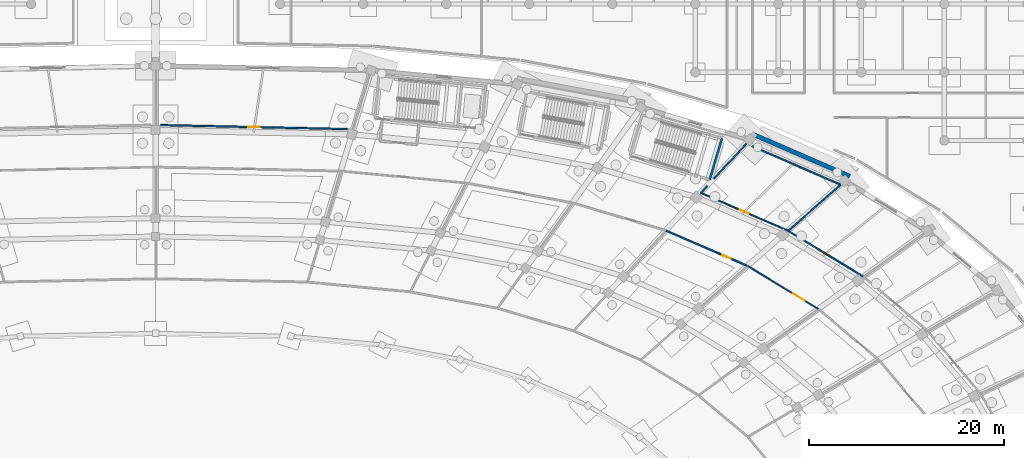
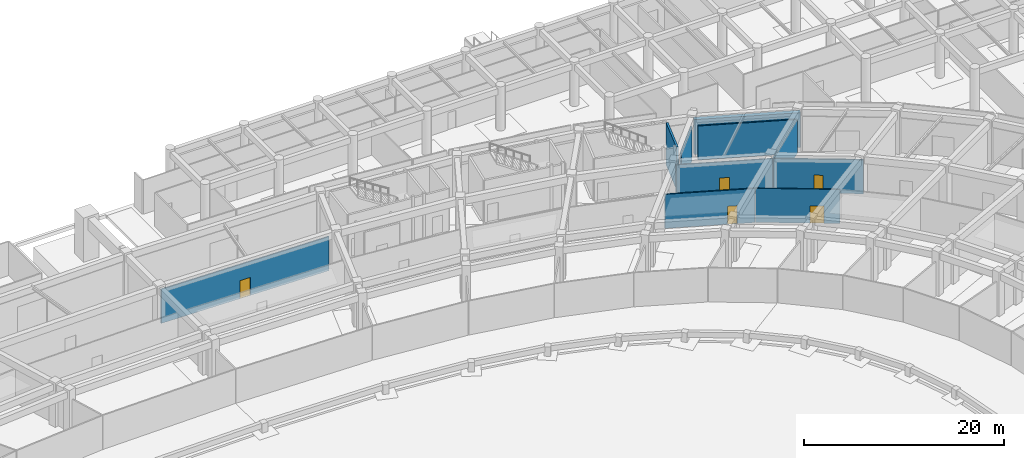
# One storey, part 61 of 88: 11 walls, 5 doors, 5 openings.
"""IFC4 building model written with IfcOpenShell, lengths in metres."""

from ifc_helpers import new_model, si_unit, direction, frame, frame_2d, origin, place, context, subcontext, project, spatial, rectangle, extrude, material, layer, layer_set, type_object, element, fill, save


model = new_model("IFC4")

# Units and contexts
model_context = context("Model", 3, precision=1e-05, world=origin(), true_north=direction((0.0, 1.0)))
body_context = subcontext(model_context, "Body", "Model", "MODEL_VIEW")
ifc_project = project(units=[si_unit("LENGTHUNIT", "METRE"), si_unit("AREAUNIT", "SQUARE_METRE"), si_unit("VOLUMEUNIT", "CUBIC_METRE"), si_unit("PLANEANGLEUNIT", "RADIAN"), si_unit("MASSUNIT", "GRAM", prefix="KILO")], contexts=[model_context])

# Site, building, storey
site_placement = place(None, origin())
site = spatial("IfcSite", under=ifc_project, at=site_placement, CompositionType="ELEMENT")
building_placement = place(site_placement, origin())
building = spatial("IfcBuilding", under=site, at=building_placement, Name="Mphavela Belvedere Stadium", CompositionType="ELEMENT")
storey_placement = place(building_placement, origin())
storey = spatial("IfcBuildingStorey", under=building, at=storey_placement, Name="L00", CompositionType="ELEMENT", Elevation=0.0)

# Wall
ifc_material_1 = material(Name="Concrete C40/50", Category="concrete")
ifc_layer_1 = layer(ifc_material_1, 0.219970703125)
ifc_layer_set_1 = layer_set([ifc_layer_1], Name="Concrete C40/50")
wall_type_1 = type_object("IfcWallType", Name="WAL-CORE-SHEAR-220", PredefinedType="SHEAR", material=ifc_layer_set_1)
wall_1_placement = place(storey_placement, frame((171.85009765625, 148.986083984375, 0.0), z_axis=(0.0, 0.0, 1.0), x_axis=(0.284533106789, 0.958666214665, 0.0)))
element("IfcWall", 1, at=wall_1_placement, inside=storey, type_object=wall_type_1, Name="Core P01 shear wall L00 right", PredefinedType="SHEAR", context=body_context, shape_type="SweptSolid", body=[
    extrude(rectangle(XDim=4.410400390625, YDim=0.219970703125, at=frame_2d((2.205078125, 0.0))), origin(), (0.0, 0.0, 1.0), 5.14990234375),
])

# Wall, opening, door
ifc_material_2 = material(Name="Moisture-resistant sanitary partition assembly")
ifc_layer_2 = layer(ifc_material_2, 0.125)
ifc_layer_set_2 = layer_set([ifc_layer_2], Name="Moisture-resistant sanitary partition assembly")
wall_type_2 = type_object("IfcWallType", Name="WAL-PART-125", PredefinedType="PARTITIONING", material=ifc_layer_set_2)
wall_2_placement = place(storey_placement, frame((175.762939453125, 140.115966796875, 0.0), z_axis=(0.0, 0.0, 1.0), x_axis=(0.854330104408, -0.519730769439, 0.0)))
wall_2 = element("IfcWall", 2, at=wall_2_placement, inside=storey, type_object=wall_type_2, Name="Room L00-51 corridor partition", PredefinedType="PARTITIONING", context=body_context, shape_type="SweptSolid", body=[
    extrude(rectangle(XDim=8.420166015625, YDim=0.125, at=frame_2d((4.2099609375, 0.0))), origin(), (0.0, 0.0, 1.0), 4.14990234375),
])
opening_1_placement = place(wall_2_placement, frame((5.424072265625, 0.0, 0.0)))
opening_1 = element("IfcOpeningElement", 3, at=opening_1_placement, cuts=wall_2, Name="Opening ID-012", PredefinedType="OPENING", context=body_context, shape_type="SweptSolid", body=[
    extrude(rectangle(XDim=1.39990234375, YDim=2.10009765625, at=frame_2d((0.699951171875, 1.050048828125))), frame((0.0, 0.072509765625, 0.0), z_axis=(0.0, -1.0, 0.0), x_axis=(1.0, 0.0, 0.0)), (0.0, 0.0, 1.0), 0.14501953125),
])
ifc_material_3 = material(Name="Hardwood acoustic timber doorset", Category="wood")
door_type_1 = type_object("IfcDoorType", Name="DR-INT-12", OperationType="NOTDEFINED", PredefinedType="DOOR", material=ifc_material_3)
door_1_placement = place(opening_1_placement, origin())
door_1 = element("IfcDoor", 4, at=door_1_placement, inside=storey, type_object=door_type_1, Name="Room L00-51 entrance door ID-012", OperationType="SINGLE_SWING_RIGHT", OverallHeight=2.10009765625, OverallWidth=1.39990234375, PredefinedType="DOOR", context=body_context, shape_type="SweptSolid", body=[
    extrude(rectangle(XDim=1.39990234375, YDim=2.10009765625, at=frame_2d((0.699951171875, 1.050048828125))), frame((0.0, 0.02490234375, 0.0), z_axis=(0.0, -1.0, 0.0), x_axis=(1.0, 0.0, 0.0)), (0.0, 0.0, 1.0), 0.050048828125),
])
fill(opening_1, door_1)

wall_3_placement = place(storey_placement, frame((179.81982421875, 143.772216796875, 0.0), z_axis=(0.0, 0.0, 1.0), x_axis=(-0.917508957037, 0.39771511633, 0.0)))
wall_3 = element("IfcWall", 5, at=wall_3_placement, inside=storey, type_object=wall_type_2, Name="Room L00-55 corridor partition", PredefinedType="PARTITIONING", context=body_context, shape_type="SweptSolid", body=[
    extrude(rectangle(XDim=9.67138671875, YDim=0.125, at=frame_2d((4.835693359375, 0.0))), origin(), (0.0, 0.0, 1.0), 4.14990234375),
])
opening_2_placement = place(wall_3_placement, frame((4.345703125, 0.0, 0.0)))
opening_2 = element("IfcOpeningElement", 6, at=opening_2_placement, cuts=wall_3, Name="Opening ID-015", PredefinedType="OPENING", context=body_context, shape_type="SweptSolid", body=[
    extrude(rectangle(XDim=0.97998046875, YDim=2.199951171875, at=frame_2d((0.489990234375, 1.10009765625))), frame((0.0, 0.072509765625, 0.0), z_axis=(0.0, -1.0, 0.0), x_axis=(1.0, 0.0, 0.0)), (0.0, 0.0, 1.0), 0.14501953125),
])
ifc_material_4 = material(Name="Hardwood acoustic timber doorset", Category="wood")
door_type_2 = type_object("IfcDoorType", Name="DR-INT-15", OperationType="NOTDEFINED", PredefinedType="DOOR", material=ifc_material_4)
door_2_placement = place(opening_2_placement, origin())
door_2 = element("IfcDoor", 7, at=door_2_placement, inside=storey, type_object=door_type_2, Name="Room L00-55 entrance door ID-015", OperationType="SINGLE_SWING_LEFT", OverallHeight=2.199951171875, OverallWidth=0.97998046875, PredefinedType="DOOR", context=body_context, shape_type="SweptSolid", body=[
    extrude(rectangle(XDim=0.97998046875, YDim=2.199951171875, at=frame_2d((0.489990234375, 1.10009765625))), frame((0.0, 0.02490234375, 0.0), z_axis=(0.0, -1.0, 0.0), x_axis=(1.0, 0.0, 0.0)), (0.0, 0.0, 1.0), 0.050048828125),
])
fill(opening_2, door_2)

ifc_material_5 = material(Name="Acoustic gypsum stud partition assembly")
ifc_layer_3 = layer(ifc_material_5, 0.14990234375)
ifc_layer_set_3 = layer_set([ifc_layer_3], Name="Acoustic gypsum stud partition assembly")
wall_type_3 = type_object("IfcWallType", Name="WAL-PART-150", PredefinedType="PARTITIONING", material=ifc_layer_set_3)
wall_4_placement = place(storey_placement, frame((187.582275390625, 139.05419921875, 0.0), z_axis=(0.0, 0.0, 1.0), x_axis=(-0.854321649351, 0.519744667554, 0.0)))
wall_4 = element("IfcWall", 8, at=wall_4_placement, inside=storey, type_object=wall_type_3, Name="Room L00-52 corridor partition", PredefinedType="PARTITIONING", context=body_context, shape_type="SweptSolid", body=[
    extrude(rectangle(XDim=8.99853515625, YDim=0.14990234375, at=frame_2d((4.499267578125, 0.0))), origin(), (0.0, 0.0, 1.0), 4.14990234375),
])
opening_3_placement = place(wall_4_placement, frame((4.04931640625, 0.0, 0.0)))
opening_3 = element("IfcOpeningElement", 9, at=opening_3_placement, cuts=wall_4, Name="Opening ID-013", PredefinedType="OPENING", context=body_context, shape_type="SweptSolid", body=[
    extrude(rectangle(XDim=0.89990234375, YDim=2.199951171875, at=frame_2d((0.449951171875, 1.10009765625))), frame((0.0, 0.0849609375, 0.0), z_axis=(0.0, -1.0, 0.0), x_axis=(1.0, 0.0, 0.0)), (0.0, 0.0, 1.0), 0.169921875),
])
ifc_material_6 = material(Name="Hardwood acoustic timber doorset", Category="wood")
door_type_3 = type_object("IfcDoorType", Name="DR-INT-13", OperationType="NOTDEFINED", PredefinedType="DOOR", material=ifc_material_6)
door_3_placement = place(opening_3_placement, origin())
door_3 = element("IfcDoor", 10, at=door_3_placement, inside=storey, type_object=door_type_3, Name="Room L00-52 entrance door ID-013", OperationType="SINGLE_SWING_LEFT", OverallHeight=2.199951171875, OverallWidth=0.89990234375, PredefinedType="DOOR", context=body_context, shape_type="SweptSolid", body=[
    extrude(rectangle(XDim=0.89990234375, YDim=2.199951171875, at=frame_2d((0.449951171875, 1.10009765625))), frame((0.0, 0.02490234375, 0.0), z_axis=(0.0, -1.0, 0.0), x_axis=(1.0, 0.0, 0.0)), (0.0, 0.0, 1.0), 0.050048828125),
])
fill(opening_3, door_3)

wall_5_placement = place(storey_placement, frame((167.382080078125, 143.753173828125, 0.0), z_axis=(0.0, 0.0, 1.0), x_axis=(0.917494590455, -0.397748257677, 0.0)))
wall_5 = element("IfcWall", 11, at=wall_5_placement, inside=storey, type_object=wall_type_3, Name="Room L00-54 corridor partition", PredefinedType="PARTITIONING", context=body_context, shape_type="SweptSolid", body=[
    extrude(rectangle(XDim=9.04931640625, YDim=0.14990234375, at=frame_2d((4.524658203125, 0.0))), origin(), (0.0, 0.0, 1.0), 4.14990234375),
])
opening_4_placement = place(wall_5_placement, frame((6.29541015625, 0.0, 0.0)))
opening_4 = element("IfcOpeningElement", 12, at=opening_4_placement, cuts=wall_5, Name="Opening ID-014", PredefinedType="OPENING", context=body_context, shape_type="SweptSolid", body=[
    extrude(rectangle(XDim=0.93994140625, YDim=2.199951171875, at=frame_2d((0.469970703125, 1.10009765625))), frame((0.0, 0.0849609375, 0.0), z_axis=(0.0, -1.0, 0.0), x_axis=(1.0, 0.0, 0.0)), (0.0, 0.0, 1.0), 0.169921875),
])
ifc_material_7 = material(Name="Hardwood acoustic timber doorset", Category="wood")
door_type_4 = type_object("IfcDoorType", Name="DR-INT-14", OperationType="NOTDEFINED", PredefinedType="DOOR", material=ifc_material_7)
door_4_placement = place(opening_4_placement, origin())
door_4 = element("IfcDoor", 13, at=door_4_placement, inside=storey, type_object=door_type_4, Name="Room L00-54 entrance door ID-014", OperationType="SINGLE_SWING_RIGHT", OverallHeight=2.199951171875, OverallWidth=0.93994140625, PredefinedType="DOOR", context=body_context, shape_type="SweptSolid", body=[
    extrude(rectangle(XDim=0.93994140625, YDim=2.199951171875, at=frame_2d((0.469970703125, 1.10009765625))), frame((0.0, 0.02490234375, 0.0), z_axis=(0.0, -1.0, 0.0), x_axis=(1.0, 0.0, 0.0)), (0.0, 0.0, 1.0), 0.050048828125),
])
fill(opening_4, door_4)

wall_6_placement = place(storey_placement, frame((134.64404296875, 154.1708984375, 0.0), z_axis=(0.0, 0.0, 1.0), x_axis=(-0.999768107727, 0.021534409017, 0.0)))
wall_6 = element("IfcWall", 14, at=wall_6_placement, inside=storey, type_object=wall_type_3, Name="Room L00-64 corridor partition", PredefinedType="PARTITIONING", context=body_context, shape_type="SweptSolid", body=[
    extrude(rectangle(XDim=19.13720703125, YDim=0.14990234375, at=frame_2d((9.568603515625, 0.0))), origin(), (0.0, 0.0, 1.0), 4.14990234375),
])
opening_5_placement = place(wall_6_placement, frame((8.978759765625, 0.0, 0.0)))
opening_5 = element("IfcOpeningElement", 15, at=opening_5_placement, cuts=wall_6, Name="Opening ID-020", PredefinedType="OPENING", context=body_context, shape_type="SweptSolid", body=[
    extrude(rectangle(XDim=1.179931640625, YDim=2.199951171875, at=frame_2d((0.58984375, 1.10009765625))), frame((0.0, 0.0849609375, 0.0), z_axis=(0.0, -1.0, 0.0), x_axis=(1.0, 0.0, 0.0)), (0.0, 0.0, 1.0), 0.169921875),
])
ifc_material_8 = material(Name="Hardwood acoustic timber doorset", Category="wood")
door_type_5 = type_object("IfcDoorType", Name="DR-INT-20", OperationType="NOTDEFINED", PredefinedType="DOOR", material=ifc_material_8)
door_5_placement = place(opening_5_placement, origin())
door_5 = element("IfcDoor", 16, at=door_5_placement, inside=storey, type_object=door_type_5, Name="Room L00-64 entrance door ID-020", OperationType="SINGLE_SWING_RIGHT", OverallHeight=2.199951171875, OverallWidth=1.179931640625, PredefinedType="DOOR", context=body_context, shape_type="SweptSolid", body=[
    extrude(rectangle(XDim=1.179931640625, YDim=2.199951171875, at=frame_2d((0.58984375, 1.10009765625))), frame((0.0, 0.02490234375, 0.0), z_axis=(0.0, -1.0, 0.0), x_axis=(1.0, 0.0, 0.0)), (0.0, 0.0, 1.0), 0.050048828125),
])
fill(opening_5, door_5)

# Walls
wall_7_placement = place(storey_placement, frame((179.89453125, 143.731201171875, 0.0), z_axis=(0.0, 0.0, 1.0), x_axis=(0.752564061831, 0.658519045162, 0.0)))
element("IfcWall", 17, at=wall_7_placement, inside=storey, type_object=wall_type_3, Name="Room divider partition L00-0022", PredefinedType="PARTITIONING", context=body_context, shape_type="SweptSolid", body=[
    extrude(rectangle(XDim=7.18310546875, YDim=0.14990234375, at=frame_2d((3.591552734375, 0.0))), origin(), (0.0, 0.0, 1.0), 4.14990234375),
])
wall_8_placement = place(storey_placement, frame((172.2861328125, 149.072021484375, 0.0), z_axis=(0.0, 0.0, 1.0), x_axis=(0.67785928919, 0.735191664846, 0.0)))
element("IfcWall", 18, at=wall_8_placement, inside=storey, type_object=wall_type_3, Name="Room divider partition L00-0025", PredefinedType="PARTITIONING", context=body_context, shape_type="SweptSolid", body=[
    extrude(rectangle(XDim=4.892822265625, YDim=0.14990234375, at=frame_2d((2.4462890625, 0.0))), origin(), (0.0, 0.0, 1.0), 4.14990234375),
])
wall_9_placement = place(storey_placement, frame((176.189453125, 152.414794921875, 0.0), z_axis=(0.0, 0.0, 1.0), x_axis=(0.917505556499, -0.397722961109, 0.0)))
element("IfcWall", 19, at=wall_9_placement, inside=storey, type_object=wall_type_3, Name="Room divider partition L00-0026", PredefinedType="PARTITIONING", context=body_context, shape_type="SweptSolid", body=[
    extrude(rectangle(XDim=9.844970703125, YDim=0.14990234375, at=frame_2d((4.92236328125, 0.0))), origin(), (0.0, 0.0, 1.0), 4.14990234375),
])
wall_10_placement = place(storey_placement, frame((170.9462890625, 147.61865234375, 0.0), z_axis=(0.0, 0.0, 1.0), x_axis=(0.677781704722, 0.735263191479, 0.0)))
element("IfcWall", 20, at=wall_10_placement, inside=storey, type_object=wall_type_3, Name="Room divider partition L00-0027", PredefinedType="PARTITIONING", context=body_context, shape_type="SweptSolid", body=[
    extrude(rectangle(XDim=0.976806640625, YDim=0.14990234375, at=frame_2d((0.48828125, 0.0))), origin(), (0.0, 0.0, 1.0), 4.14990234375),
])
ifc_material_9 = material(Name="Concrete C40/50", Category="concrete")
ifc_layer_4 = layer(ifc_material_9, 0.449951171875)
ifc_layer_set_4 = layer_set([ifc_layer_4], Name="Concrete C40/50")
wall_type_4 = type_object("IfcWallType", Name="WALL-RETAINING-450", PredefinedType="USERDEFINED", material=ifc_layer_set_4)
wall_11_placement = place(storey_placement, frame((186.229736328125, 149.327880859375, 0.0), z_axis=(0.0, 0.0, 1.0), x_axis=(-0.917502700529, 0.397729549471, 0.0)))
element("IfcWall", 21, at=wall_11_placement, inside=storey, type_object=wall_type_4, Name="Uphill earth-bank retaining wall 08", ObjectType="RETAININGWALL", PredefinedType="USERDEFINED", context=body_context, shape_type="SweptSolid", body=[
    extrude(rectangle(XDim=10.71630859375, YDim=0.449951171875, at=frame_2d((5.358154296875, 0.0))), origin(), (0.0, 0.0, 1.0), 4.25),
])

save(model, "model.ifc")
